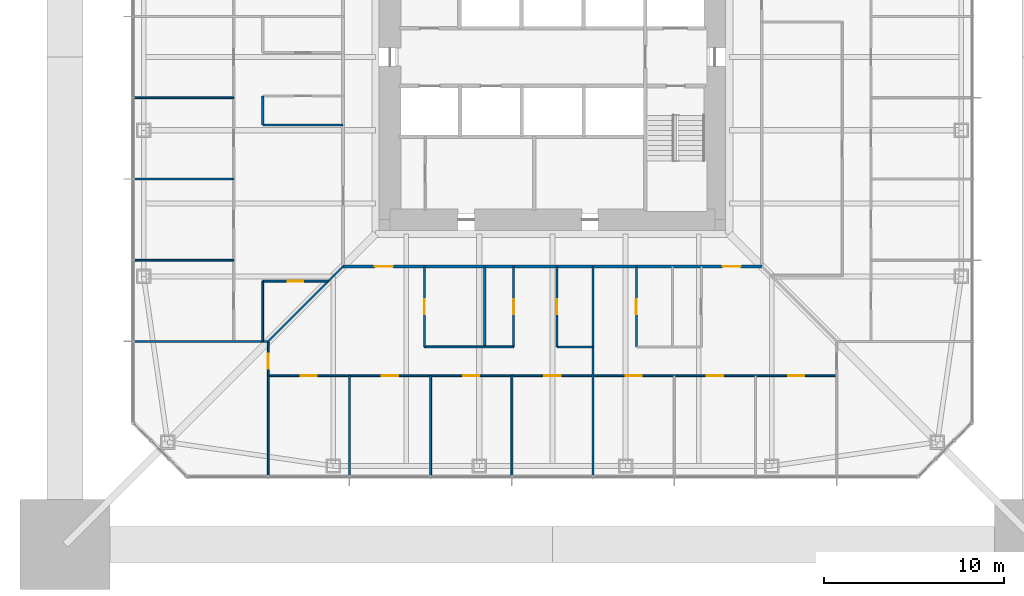
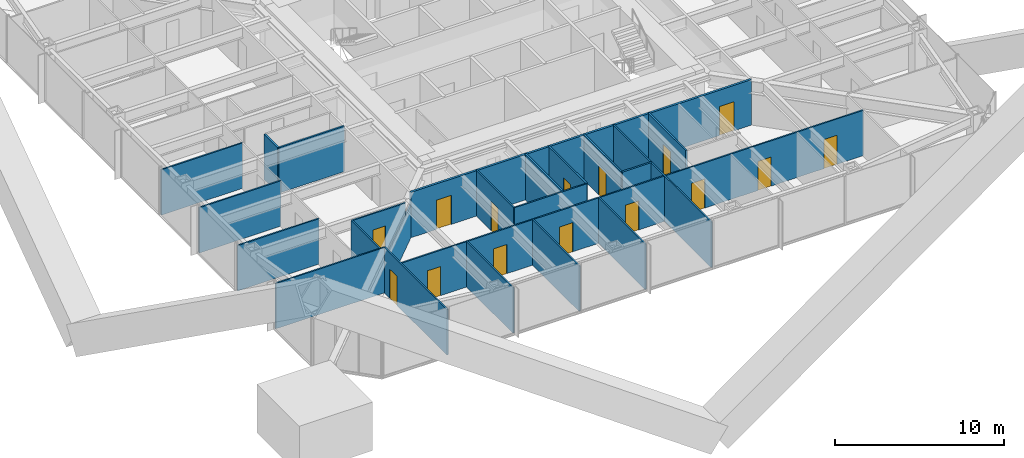
# One storey, part 16 of 28: 23 walls, 15 doors, 15 openings.
"""IFC4 building model written with IfcOpenShell, lengths in metres."""

from ifc_helpers import new_model, si_unit, direction, frame, frame_2d, origin, place, context, subcontext, project, spatial, rectangle, extrude, material, layer, layer_set, type_object, element, fill, save


model = new_model("IFC4")

# Units and contexts
model_context = context("Model", 3, precision=1e-05, world=origin(), true_north=direction((0.0, 1.0)))
body_context = subcontext(model_context, "Body", "Model", "MODEL_VIEW")
ifc_project = project(units=[si_unit("LENGTHUNIT", "METRE"), si_unit("AREAUNIT", "SQUARE_METRE"), si_unit("VOLUMEUNIT", "CUBIC_METRE"), si_unit("PLANEANGLEUNIT", "RADIAN"), si_unit("MASSUNIT", "GRAM", prefix="KILO")], contexts=[model_context])

# Site, building, storey
site_placement = place(None, origin())
site = spatial("IfcSite", under=ifc_project, at=site_placement, CompositionType="ELEMENT")
building_placement = place(site_placement, origin())
building = spatial("IfcBuilding", under=site, at=building_placement, Name="Iwan Alto Co-Living Towers", CompositionType="ELEMENT")
storey_placement = place(building_placement, frame((0.0, 0.0, 64.0)))
storey = spatial("IfcBuildingStorey", under=building, at=storey_placement, Name="L17", CompositionType="ELEMENT", Elevation=64.0)

# Wall, openings, doors
ifc_material_1 = material(Name="Gypsum board")
ifc_layer_1 = layer(ifc_material_1, 0.02490234375, Name="Board", Category="Finish")
ifc_material_2 = material(Name="Steel ASTM A1003 ST33H cold-formed studs", Category="steel")
ifc_layer_2 = layer(ifc_material_2, 0.10009765625, Name="Studs", Category="Framing")
ifc_layer_3 = layer(ifc_material_1, 0.02490234375, Name="Board", Category="Finish")
ifc_layer_set_1 = layer_set([ifc_layer_1, ifc_layer_2, ifc_layer_3], Name="CORRIDOR WALL 150")
wall_type_1 = type_object("IfcWallType", Name="CORRIDOR WALL 150", PredefinedType="PARTITIONING", material=ifc_layer_set_1)
wall_1_placement = place(storey_placement, frame((-11.60009765625, -11.60009765625, 0.0), z_axis=(0.0, 0.0, 1.0), x_axis=(1.0, 0.0, 0.0)))
wall_1 = element("IfcWall", 1, at=wall_1_placement, inside=storey, type_object=wall_type_1, Name="Partition L17", PredefinedType="PARTITIONING", context=body_context, shape_type="SweptSolid", body=[
    extrude(rectangle(XDim=23.2001953125, YDim=0.14990234375, at=frame_2d((11.60009765625, 0.0))), origin(), (0.0, 0.0, 1.0), 3.27001953125),
])
opening_1_placement = place(wall_1_placement, frame((1.7548828125, 0.0, 0.0)))
opening_1 = element("IfcOpeningElement", 2, at=opening_1_placement, cuts=wall_1, Name="Opening D3", PredefinedType="OPENING", context=body_context, shape_type="SweptSolid", body=[
    extrude(rectangle(XDim=1.0, YDim=2.10009765625, at=frame_2d((0.5, 1.050048828125))), frame((0.0, 0.0849609375, 0.0), z_axis=(0.0, -1.0, 0.0), x_axis=(1.0, 0.0, 0.0)), (0.0, 0.0, 1.0), 0.169921875),
])
opening_2_placement = place(wall_1_placement, frame((21.02490234375, 0.0, 0.0)))
opening_2 = element("IfcOpeningElement", 3, at=opening_2_placement, cuts=wall_1, Name="Opening D3", PredefinedType="OPENING", context=body_context, shape_type="SweptSolid", body=[
    extrude(rectangle(XDim=1.0, YDim=2.10009765625, at=frame_2d((0.5, 1.050048828125))), frame((0.0, 0.0849609375, 0.0), z_axis=(0.0, -1.0, 0.0), x_axis=(1.0, 0.0, 0.0)), (0.0, 0.0, 1.0), 0.169921875),
])
ifc_material_3 = material(Name="Steel frame with timber leaf", Category="steel")
door_type_1 = type_object("IfcDoorType", Name="FLAT ENTRANCE DOOR FD30S 1000X2100", OperationType="SINGLE_SWING_LEFT", PredefinedType="DOOR", material=ifc_material_3)
door_1_placement = place(opening_1_placement, frame((1.0, 0.0, 0.0), z_axis=(0.0, 0.0, 1.0), x_axis=(-1.0, 0.0, 0.0)))
door_1 = element("IfcDoor", 4, at=door_1_placement, inside=storey, type_object=door_type_1, Name="Cluster lounge door L17", OperationType="SINGLE_SWING_LEFT", OverallHeight=2.10009765625, OverallWidth=1.0, PredefinedType="DOOR", context=body_context, shape_type="SweptSolid", body=[
    extrude(rectangle(XDim=1.0, YDim=2.10009765625, at=frame_2d((0.5, 1.050048828125))), frame((0.0, 0.02490234375, 0.0), z_axis=(0.0, -1.0, 0.0), x_axis=(1.0, 0.0, 0.0)), (0.0, 0.0, 1.0), 0.050048828125),
])
fill(opening_1, door_1)
door_2_placement = place(opening_2_placement, frame((1.0, 0.0, 0.0), z_axis=(0.0, 0.0, 1.0), x_axis=(-1.0, 0.0, 0.0)))
door_2 = element("IfcDoor", 5, at=door_2_placement, inside=storey, type_object=door_type_1, Name="Cluster lounge door L17", OperationType="SINGLE_SWING_RIGHT", OverallHeight=2.10009765625, OverallWidth=1.0, PredefinedType="DOOR", context=body_context, shape_type="SweptSolid", body=[
    extrude(rectangle(XDim=1.0, YDim=2.10009765625, at=frame_2d((0.5, 1.050048828125))), frame((0.0, 0.02490234375, 0.0), z_axis=(0.0, -1.0, 0.0), x_axis=(1.0, 0.0, 0.0)), (0.0, 0.0, 1.0), 0.050048828125),
])
fill(opening_2, door_2)

ifc_layer_4 = layer(ifc_material_1, 0.012451171875, Name="Board", Category="Finish")
ifc_layer_5 = layer(ifc_material_2, 0.074951171875, Name="Studs", Category="Framing")
ifc_layer_6 = layer(ifc_material_1, 0.012451171875, Name="Board", Category="Finish")
ifc_layer_set_2 = layer_set([ifc_layer_4, ifc_layer_5, ifc_layer_6], Name="PARTITION 100")
wall_type_2 = type_object("IfcWallType", Name="PARTITION 100", PredefinedType="PARTITIONING", material=ifc_layer_set_2)
wall_2_placement = place(storey_placement, frame((-15.75, -17.64990234375, 0.0), z_axis=(0.0, 0.0, 1.0), x_axis=(1.0, 0.0, 0.0)))
wall_2 = element("IfcWall", 6, at=wall_2_placement, inside=storey, type_object=wall_type_2, Name="Partition L17", PredefinedType="PARTITIONING", context=body_context, shape_type="SweptSolid", body=[
    extrude(rectangle(XDim=31.5, YDim=0.10009765625, at=frame_2d((15.75, 0.0))), origin(), (0.0, 0.0, 1.0), 3.27001953125),
])
opening_3_placement = place(wall_2_placement, frame((1.800048828125, 0.0, 0.0)))
opening_3 = element("IfcOpeningElement", 7, at=opening_3_placement, cuts=wall_2, Name="Opening D1", PredefinedType="OPENING", context=body_context, shape_type="SweptSolid", body=[
    extrude(rectangle(XDim=0.89990234375, YDim=2.10009765625, at=frame_2d((0.449951171875, 1.050048828125))), frame((0.0, 0.06005859375, 0.0), z_axis=(0.0, -1.0, 0.0), x_axis=(1.0, 0.0, 0.0)), (0.0, 0.0, 1.0), 0.1201171875),
])
opening_4_placement = place(wall_2_placement, frame((6.300048828125, 0.0, 0.0)))
opening_4 = element("IfcOpeningElement", 8, at=opening_4_placement, cuts=wall_2, Name="Opening D1", PredefinedType="OPENING", context=body_context, shape_type="SweptSolid", body=[
    extrude(rectangle(XDim=0.89990234375, YDim=2.10009765625, at=frame_2d((0.449951171875, 1.050048828125))), frame((0.0, 0.06005859375, 0.0), z_axis=(0.0, -1.0, 0.0), x_axis=(1.0, 0.0, 0.0)), (0.0, 0.0, 1.0), 0.1201171875),
])
opening_5_placement = place(wall_2_placement, frame((10.800048828125, 0.0, 0.0)))
opening_5 = element("IfcOpeningElement", 9, at=opening_5_placement, cuts=wall_2, Name="Opening D1", PredefinedType="OPENING", context=body_context, shape_type="SweptSolid", body=[
    extrude(rectangle(XDim=0.89990234375, YDim=2.10009765625, at=frame_2d((0.449951171875, 1.050048828125))), frame((0.0, 0.06005859375, 0.0), z_axis=(0.0, -1.0, 0.0), x_axis=(1.0, 0.0, 0.0)), (0.0, 0.0, 1.0), 0.1201171875),
])
opening_6_placement = place(wall_2_placement, frame((15.300048828125, 0.0, 0.0)))
opening_6 = element("IfcOpeningElement", 10, at=opening_6_placement, cuts=wall_2, Name="Opening D1", PredefinedType="OPENING", context=body_context, shape_type="SweptSolid", body=[
    extrude(rectangle(XDim=0.89990234375, YDim=2.10009765625, at=frame_2d((0.449951171875, 1.050048828125))), frame((0.0, 0.06005859375, 0.0), z_axis=(0.0, -1.0, 0.0), x_axis=(1.0, 0.0, 0.0)), (0.0, 0.0, 1.0), 0.1201171875),
])
opening_7_placement = place(wall_2_placement, frame((19.800048828125, 0.0, 0.0)))
opening_7 = element("IfcOpeningElement", 11, at=opening_7_placement, cuts=wall_2, Name="Opening D1", PredefinedType="OPENING", context=body_context, shape_type="SweptSolid", body=[
    extrude(rectangle(XDim=0.89990234375, YDim=2.10009765625, at=frame_2d((0.449951171875, 1.050048828125))), frame((0.0, 0.06005859375, 0.0), z_axis=(0.0, -1.0, 0.0), x_axis=(1.0, 0.0, 0.0)), (0.0, 0.0, 1.0), 0.1201171875),
])
opening_8_placement = place(wall_2_placement, frame((24.300048828125, 0.0, 0.0)))
opening_8 = element("IfcOpeningElement", 12, at=opening_8_placement, cuts=wall_2, Name="Opening D1", PredefinedType="OPENING", context=body_context, shape_type="SweptSolid", body=[
    extrude(rectangle(XDim=0.89990234375, YDim=2.10009765625, at=frame_2d((0.449951171875, 1.050048828125))), frame((0.0, 0.06005859375, 0.0), z_axis=(0.0, -1.0, 0.0), x_axis=(1.0, 0.0, 0.0)), (0.0, 0.0, 1.0), 0.1201171875),
])
opening_9_placement = place(wall_2_placement, frame((28.800048828125, 0.0, 0.0)))
opening_9 = element("IfcOpeningElement", 13, at=opening_9_placement, cuts=wall_2, Name="Opening D1", PredefinedType="OPENING", context=body_context, shape_type="SweptSolid", body=[
    extrude(rectangle(XDim=0.89990234375, YDim=2.10009765625, at=frame_2d((0.449951171875, 1.050048828125))), frame((0.0, 0.06005859375, 0.0), z_axis=(0.0, -1.0, 0.0), x_axis=(1.0, 0.0, 0.0)), (0.0, 0.0, 1.0), 0.1201171875),
])
ifc_material_4 = material(Name="Timber leaf in steel frame", Category="steel")
door_type_2 = type_object("IfcDoorType", Name="BEDROOM DOOR 900X2100", OperationType="SINGLE_SWING_LEFT", PredefinedType="DOOR", material=ifc_material_4)
door_3_placement = place(opening_3_placement, origin())
door_3 = element("IfcDoor", 14, at=door_3_placement, inside=storey, type_object=door_type_2, Name="Study bedroom door L17", OperationType="SINGLE_SWING_LEFT", OverallHeight=2.10009765625, OverallWidth=0.89990234375, PredefinedType="DOOR", context=body_context, shape_type="SweptSolid", body=[
    extrude(rectangle(XDim=0.89990234375, YDim=2.10009765625, at=frame_2d((0.449951171875, 1.050048828125))), frame((0.0, 0.02490234375, 0.0), z_axis=(0.0, -1.0, 0.0), x_axis=(1.0, 0.0, 0.0)), (0.0, 0.0, 1.0), 0.050048828125),
])
fill(opening_3, door_3)
door_4_placement = place(opening_4_placement, origin())
door_4 = element("IfcDoor", 15, at=door_4_placement, inside=storey, type_object=door_type_2, Name="Study bedroom door L17", OperationType="SINGLE_SWING_LEFT", OverallHeight=2.10009765625, OverallWidth=0.89990234375, PredefinedType="DOOR", context=body_context, shape_type="SweptSolid", body=[
    extrude(rectangle(XDim=0.89990234375, YDim=2.10009765625, at=frame_2d((0.449951171875, 1.050048828125))), frame((0.0, 0.02490234375, 0.0), z_axis=(0.0, -1.0, 0.0), x_axis=(1.0, 0.0, 0.0)), (0.0, 0.0, 1.0), 0.050048828125),
])
fill(opening_4, door_4)
door_5_placement = place(opening_5_placement, origin())
door_5 = element("IfcDoor", 16, at=door_5_placement, inside=storey, type_object=door_type_2, Name="Study bedroom door L17", OperationType="SINGLE_SWING_RIGHT", OverallHeight=2.10009765625, OverallWidth=0.89990234375, PredefinedType="DOOR", context=body_context, shape_type="SweptSolid", body=[
    extrude(rectangle(XDim=0.89990234375, YDim=2.10009765625, at=frame_2d((0.449951171875, 1.050048828125))), frame((0.0, 0.02490234375, 0.0), z_axis=(0.0, -1.0, 0.0), x_axis=(1.0, 0.0, 0.0)), (0.0, 0.0, 1.0), 0.050048828125),
])
fill(opening_5, door_5)
door_6_placement = place(opening_6_placement, origin())
door_6 = element("IfcDoor", 17, at=door_6_placement, inside=storey, type_object=door_type_2, Name="Study bedroom door L17", OperationType="SINGLE_SWING_RIGHT", OverallHeight=2.10009765625, OverallWidth=0.89990234375, PredefinedType="DOOR", context=body_context, shape_type="SweptSolid", body=[
    extrude(rectangle(XDim=0.89990234375, YDim=2.10009765625, at=frame_2d((0.449951171875, 1.050048828125))), frame((0.0, 0.02490234375, 0.0), z_axis=(0.0, -1.0, 0.0), x_axis=(1.0, 0.0, 0.0)), (0.0, 0.0, 1.0), 0.050048828125),
])
fill(opening_6, door_6)
door_7_placement = place(opening_7_placement, origin())
door_7 = element("IfcDoor", 18, at=door_7_placement, inside=storey, type_object=door_type_2, Name="Study bedroom door L17", OperationType="SINGLE_SWING_LEFT", OverallHeight=2.10009765625, OverallWidth=0.89990234375, PredefinedType="DOOR", context=body_context, shape_type="SweptSolid", body=[
    extrude(rectangle(XDim=0.89990234375, YDim=2.10009765625, at=frame_2d((0.449951171875, 1.050048828125))), frame((0.0, 0.02490234375, 0.0), z_axis=(0.0, -1.0, 0.0), x_axis=(1.0, 0.0, 0.0)), (0.0, 0.0, 1.0), 0.050048828125),
])
fill(opening_7, door_7)
door_8_placement = place(opening_8_placement, origin())
door_8 = element("IfcDoor", 19, at=door_8_placement, inside=storey, type_object=door_type_2, Name="Study bedroom door L17", OperationType="SINGLE_SWING_LEFT", OverallHeight=2.10009765625, OverallWidth=0.89990234375, PredefinedType="DOOR", context=body_context, shape_type="SweptSolid", body=[
    extrude(rectangle(XDim=0.89990234375, YDim=2.10009765625, at=frame_2d((0.449951171875, 1.050048828125))), frame((0.0, 0.02490234375, 0.0), z_axis=(0.0, -1.0, 0.0), x_axis=(1.0, 0.0, 0.0)), (0.0, 0.0, 1.0), 0.050048828125),
])
fill(opening_8, door_8)
door_9_placement = place(opening_9_placement, origin())
door_9 = element("IfcDoor", 20, at=door_9_placement, inside=storey, type_object=door_type_2, Name="Study bedroom door L17", OperationType="SINGLE_SWING_RIGHT", OverallHeight=2.10009765625, OverallWidth=0.89990234375, PredefinedType="DOOR", context=body_context, shape_type="SweptSolid", body=[
    extrude(rectangle(XDim=0.89990234375, YDim=2.10009765625, at=frame_2d((0.449951171875, 1.050048828125))), frame((0.0, 0.02490234375, 0.0), z_axis=(0.0, -1.0, 0.0), x_axis=(1.0, 0.0, 0.0)), (0.0, 0.0, 1.0), 0.050048828125),
])
fill(opening_9, door_9)

# Walls
wall_3_placement = place(storey_placement, frame((-7.090087890625, -16.050048828125, 0.0), z_axis=(0.0, 0.0, 1.0), x_axis=(1.0, 0.0, 0.0)))
element("IfcWall", 21, at=wall_3_placement, inside=storey, type_object=wall_type_2, Name="Partition L17", PredefinedType="PARTITIONING", context=body_context, shape_type="SweptSolid", body=[
    extrude(rectangle(XDim=4.940185546875, YDim=0.10009765625, at=frame_2d((2.47021484375, 0.0))), origin(), (0.0, 0.0, 1.0), 3.27001953125),
])
wall_4_placement = place(storey_placement, frame((-23.18994140625, -15.75, 0.0), z_axis=(0.0, 0.0, 1.0), x_axis=(1.0, 0.0, 0.0)))
element("IfcWall", 22, at=wall_4_placement, inside=storey, type_object=wall_type_2, Name="Partition L17", PredefinedType="PARTITIONING", context=body_context, shape_type="SweptSolid", body=[
    extrude(rectangle(XDim=7.43994140625, YDim=0.10009765625, at=frame_2d((3.719970703125, 0.0))), origin(), (0.0, 0.0, 1.0), 3.27001953125),
])

# Wall, opening, door
wall_5_placement = place(storey_placement, frame((-16.050048828125, -12.409912109375, 0.0), z_axis=(0.0, 0.0, 1.0), x_axis=(1.0, 0.0, 0.0)))
wall_5 = element("IfcWall", 23, at=wall_5_placement, inside=storey, type_object=wall_type_2, Name="Partition L17", PredefinedType="PARTITIONING", context=body_context, shape_type="SweptSolid", body=[
    extrude(rectangle(XDim=3.64013671875, YDim=0.10009765625, at=frame_2d((1.820068359375, 0.0))), origin(), (0.0, 0.0, 1.0), 3.27001953125),
])
opening_10_placement = place(wall_5_placement, frame((1.39501953125, 0.0, 0.0)))
opening_10 = element("IfcOpeningElement", 24, at=opening_10_placement, cuts=wall_5, Name="Opening D2", PredefinedType="OPENING", context=body_context, shape_type="SweptSolid", body=[
    extrude(rectangle(XDim=0.85009765625, YDim=2.10009765625, at=frame_2d((0.425048828125, 1.050048828125))), frame((0.0, 0.06005859375, 0.0), z_axis=(0.0, -1.0, 0.0), x_axis=(1.0, 0.0, 0.0)), (0.0, 0.0, 1.0), 0.1201171875),
])
ifc_material_5 = material(Name="Timber leaf in steel frame", Category="steel")
door_type_3 = type_object("IfcDoorType", Name="ROOM DOOR 850X2100", OperationType="SINGLE_SWING_LEFT", PredefinedType="DOOR", material=ifc_material_5)
door_10_placement = place(opening_10_placement, origin())
door_10 = element("IfcDoor", 25, at=door_10_placement, inside=storey, type_object=door_type_3, Name="Study room door L17", OperationType="SINGLE_SWING_RIGHT", OverallHeight=2.10009765625, OverallWidth=0.85009765625, PredefinedType="DOOR", context=body_context, shape_type="SweptSolid", body=[
    extrude(rectangle(XDim=0.85009765625, YDim=2.10009765625, at=frame_2d((0.425048828125, 1.050048828125))), frame((0.0, 0.02490234375, 0.0), z_axis=(0.0, -1.0, 0.0), x_axis=(1.0, 0.0, 0.0)), (0.0, 0.0, 1.0), 0.050048828125),
])
fill(opening_10, door_10)

# Walls
for number, where, z_axis, x_axis, name in (
    (26, (-23.18994140625, -11.25, 0.0), (0.0, 0.0, 1.0), (1.0, 0.0, 0.0), "Partition L17"),
    (27, (-23.18994140625, -6.75, 0.0), (0.0, 0.0, 1.0), (1.0, 0.0, 0.0), "Partition L17"),
    (28, (-23.18994140625, -2.25, 0.0), (0.0, 0.0, 1.0), (1.0, 0.0, 0.0), "Partition L17"),
):
    element("IfcWall", number, at=place(storey_placement, frame(where, z_axis=z_axis, x_axis=x_axis)), inside=storey, type_object=wall_type_2, Name=name, PredefinedType="PARTITIONING", context=body_context, shape_type="SweptSolid", body=[
        extrude(rectangle(XDim=5.5400390625, YDim=0.10009765625, at=frame_2d((2.77001953125, 0.0))), origin(), (0.0, 0.0, 1.0), 3.27001953125),
    ])
wall_6_placement = place(storey_placement, frame((-15.75, -15.75, 0.0), z_axis=(0.0, 0.0, 1.0), x_axis=(0.707106781187, 0.707106781187, 0.0)))
element("IfcWall", 29, at=wall_6_placement, inside=storey, type_object=wall_type_2, Name="Partition L17", PredefinedType="PARTITIONING", context=body_context, shape_type="SweptSolid", body=[
    extrude(rectangle(XDim=5.868896484375, YDim=0.10009765625, at=frame_2d((2.9345703125, 0.0))), origin(), (0.0, 0.0, 1.0), 2.343017578125),
])
wall_7_placement = place(storey_placement, frame((2.25, -23.18994140625, 0.0), z_axis=(0.0, 0.0, 1.0), x_axis=(0.0, 1.0, 0.0)))
element("IfcWall", 30, at=wall_7_placement, inside=storey, type_object=wall_type_2, Name="Partition L17", PredefinedType="PARTITIONING", context=body_context, shape_type="SweptSolid", body=[
    extrude(rectangle(XDim=11.58984375, YDim=0.10009765625, at=frame_2d((5.794921875, 0.0))), origin(), (0.0, 0.0, 1.0), 3.27001953125),
])
for number, where, z_axis, x_axis, name in (
    (31, (-2.25, -23.18994140625, 0.0), (0.0, 0.0, 1.0), (0.0, 1.0, 0.0), "Partition L17"),
    (32, (-6.75, -23.18994140625, 0.0), (0.0, 0.0, 1.0), (0.0, 1.0, 0.0), "Partition L17"),
):
    element("IfcWall", number, at=place(storey_placement, frame(where, z_axis=z_axis, x_axis=x_axis)), inside=storey, type_object=wall_type_2, Name=name, PredefinedType="PARTITIONING", context=body_context, shape_type="SweptSolid", body=[
        extrude(rectangle(XDim=5.5400390625, YDim=0.10009765625, at=frame_2d((2.77001953125, 0.0))), origin(), (0.0, 0.0, 1.0), 3.27001953125),
    ])

# Wall, opening, door
wall_8_placement = place(storey_placement, frame((-7.090087890625, -16.050048828125, 0.0), z_axis=(0.0, 0.0, 1.0), x_axis=(0.0, 1.0, 0.0)))
wall_8 = element("IfcWall", 33, at=wall_8_placement, inside=storey, type_object=wall_type_2, Name="Partition L17", PredefinedType="PARTITIONING", context=body_context, shape_type="SweptSolid", body=[
    extrude(rectangle(XDim=4.449951171875, YDim=0.10009765625, at=frame_2d((2.22509765625, 0.0))), origin(), (0.0, 0.0, 1.0), 3.27001953125),
])
opening_11_placement = place(wall_8_placement, frame((1.800048828125, 0.0, 0.0)))
opening_11 = element("IfcOpeningElement", 34, at=opening_11_placement, cuts=wall_8, Name="Opening D2", PredefinedType="OPENING", context=body_context, shape_type="SweptSolid", body=[
    extrude(rectangle(XDim=0.85009765625, YDim=2.10009765625, at=frame_2d((0.425048828125, 1.050048828125))), frame((0.0, 0.06005859375, 0.0), z_axis=(0.0, -1.0, 0.0), x_axis=(1.0, 0.0, 0.0)), (0.0, 0.0, 1.0), 0.1201171875),
])
door_11_placement = place(opening_11_placement, origin())
door_11 = element("IfcDoor", 35, at=door_11_placement, inside=storey, type_object=door_type_3, Name="Study room door L17", OperationType="SINGLE_SWING_RIGHT", OverallHeight=2.10009765625, OverallWidth=0.85009765625, PredefinedType="DOOR", context=body_context, shape_type="SweptSolid", body=[
    extrude(rectangle(XDim=0.85009765625, YDim=2.10009765625, at=frame_2d((0.425048828125, 1.050048828125))), frame((0.0, 0.02490234375, 0.0), z_axis=(0.0, -1.0, 0.0), x_axis=(1.0, 0.0, 0.0)), (0.0, 0.0, 1.0), 0.050048828125),
])
fill(opening_11, door_11)

# Wall
wall_9_placement = place(storey_placement, frame((-11.25, -23.18994140625, 0.0), z_axis=(0.0, 0.0, 1.0), x_axis=(0.0, 1.0, 0.0)))
element("IfcWall", 36, at=wall_9_placement, inside=storey, type_object=wall_type_2, Name="Partition L17", PredefinedType="PARTITIONING", context=body_context, shape_type="SweptSolid", body=[
    extrude(rectangle(XDim=5.5400390625, YDim=0.10009765625, at=frame_2d((2.77001953125, 0.0))), origin(), (0.0, 0.0, 1.0), 3.27001953125),
])

# Wall, opening, door
wall_10_placement = place(storey_placement, frame((-15.75, -23.18994140625, 0.0), z_axis=(0.0, 0.0, 1.0), x_axis=(0.0, 1.0, 0.0)))
wall_10 = element("IfcWall", 37, at=wall_10_placement, inside=storey, type_object=wall_type_2, Name="Partition L17", PredefinedType="PARTITIONING", context=body_context, shape_type="SweptSolid", body=[
    extrude(rectangle(XDim=7.43994140625, YDim=0.10009765625, at=frame_2d((3.719970703125, 0.0))), origin(), (0.0, 0.0, 1.0), 3.27001953125),
])
opening_12_placement = place(wall_10_placement, frame((5.9150390625, 0.0, 0.0)))
opening_12 = element("IfcOpeningElement", 38, at=opening_12_placement, cuts=wall_10, Name="Opening D2", PredefinedType="OPENING", context=body_context, shape_type="SweptSolid", body=[
    extrude(rectangle(XDim=0.85009765625, YDim=2.10009765625, at=frame_2d((0.425048828125, 1.050048828125))), frame((0.0, 0.06005859375, 0.0), z_axis=(0.0, -1.0, 0.0), x_axis=(1.0, 0.0, 0.0)), (0.0, 0.0, 1.0), 0.1201171875),
])
door_12_placement = place(opening_12_placement, frame((0.85009765625, 0.0, 0.0), z_axis=(0.0, 0.0, 1.0), x_axis=(-1.0, 0.0, 0.0)))
door_12 = element("IfcDoor", 39, at=door_12_placement, inside=storey, type_object=door_type_3, Name="Shared kitchen and dining room door L17", OperationType="SINGLE_SWING_RIGHT", OverallHeight=2.10009765625, OverallWidth=0.85009765625, PredefinedType="DOOR", context=body_context, shape_type="SweptSolid", body=[
    extrude(rectangle(XDim=0.85009765625, YDim=2.10009765625, at=frame_2d((0.425048828125, 1.050048828125))), frame((0.0, 0.02490234375, 0.0), z_axis=(0.0, -1.0, 0.0), x_axis=(1.0, 0.0, 0.0)), (0.0, 0.0, 1.0), 0.050048828125),
])
fill(opening_12, door_12)

# Walls
wall_11_placement = place(storey_placement, frame((-16.050048828125, -15.75, 0.0), z_axis=(0.0, 0.0, 1.0), x_axis=(0.0, 1.0, 0.0)))
element("IfcWall", 40, at=wall_11_placement, inside=storey, type_object=wall_type_2, Name="Partition L17", PredefinedType="PARTITIONING", context=body_context, shape_type="SweptSolid", body=[
    extrude(rectangle(XDim=3.340087890625, YDim=0.10009765625, at=frame_2d((1.669921875, 0.0))), origin(), (0.0, 0.0, 1.0), 3.27001953125),
])
ifc_material_6 = material(Name="Cement board")
ifc_layer_7 = layer(ifc_material_6, 0.012451171875, Name="Board", Category="Finish")
ifc_layer_8 = layer(ifc_material_2, 0.094970703125, Name="Studs", Category="Framing")
ifc_layer_9 = layer(ifc_material_6, 0.012451171875, Name="Board", Category="Finish")
ifc_layer_set_3 = layer_set([ifc_layer_7, ifc_layer_8, ifc_layer_9], Name="WET AREA PARTITION 120")
wall_type_3 = type_object("IfcWallType", Name="WET AREA PARTITION 120", PredefinedType="PARTITIONING", material=ifc_layer_set_3)
wall_12_placement = place(storey_placement, frame((0.25, -16.050048828125, 0.0), z_axis=(0.0, 0.0, 1.0), x_axis=(1.0, 0.0, 0.0)))
element("IfcWall", 41, at=wall_12_placement, inside=storey, type_object=wall_type_3, Name="Partition L17", PredefinedType="PARTITIONING", context=body_context, shape_type="SweptSolid", body=[
    extrude(rectangle(XDim=2.0, YDim=0.1201171875, at=frame_2d((1.0, 0.0))), origin(), (0.0, 0.0, 1.0), 3.27001953125),
])
wall_13_placement = place(storey_placement, frame((-16.050048828125, -3.75, 0.0), z_axis=(0.0, 0.0, 1.0), x_axis=(1.0, 0.0, 0.0)))
element("IfcWall", 42, at=wall_13_placement, inside=storey, type_object=wall_type_3, Name="Partition L17", PredefinedType="PARTITIONING", context=body_context, shape_type="SweptSolid", body=[
    extrude(rectangle(XDim=4.449951171875, YDim=0.1201171875, at=frame_2d((2.22509765625, 0.0))), origin(), (0.0, 0.0, 1.0), 3.27001953125),
])

# Wall, opening, door
wall_14_placement = place(storey_placement, frame((4.64990234375, -16.050048828125, 0.0), z_axis=(0.0, 0.0, 1.0), x_axis=(0.0, 1.0, 0.0)))
wall_14 = element("IfcWall", 43, at=wall_14_placement, inside=storey, type_object=wall_type_3, Name="Partition L17", PredefinedType="PARTITIONING", context=body_context, shape_type="SweptSolid", body=[
    extrude(rectangle(XDim=4.449951171875, YDim=0.1201171875, at=frame_2d((2.22509765625, 0.0))), origin(), (0.0, 0.0, 1.0), 3.27001953125),
])
opening_13_placement = place(wall_14_placement, frame((1.800048828125, 0.0, 0.0)))
opening_13 = element("IfcOpeningElement", 44, at=opening_13_placement, cuts=wall_14, Name="Opening D2", PredefinedType="OPENING", context=body_context, shape_type="SweptSolid", body=[
    extrude(rectangle(XDim=0.85009765625, YDim=2.10009765625, at=frame_2d((0.425048828125, 1.050048828125))), frame((0.0, 0.070068359375, 0.0), z_axis=(0.0, -1.0, 0.0), x_axis=(1.0, 0.0, 0.0)), (0.0, 0.0, 1.0), 0.14013671875),
])
door_13_placement = place(opening_13_placement, origin())
door_13 = element("IfcDoor", 45, at=door_13_placement, inside=storey, type_object=door_type_3, Name="Laundry door L17", OperationType="SINGLE_SWING_RIGHT", OverallHeight=2.10009765625, OverallWidth=0.85009765625, PredefinedType="DOOR", context=body_context, shape_type="SweptSolid", body=[
    extrude(rectangle(XDim=0.85009765625, YDim=2.10009765625, at=frame_2d((0.425048828125, 1.050048828125))), frame((0.0, 0.02490234375, 0.0), z_axis=(0.0, -1.0, 0.0), x_axis=(1.0, 0.0, 0.0)), (0.0, 0.0, 1.0), 0.050048828125),
])
fill(opening_13, door_13)

wall_15_placement = place(storey_placement, frame((0.25, -16.050048828125, 0.0), z_axis=(0.0, 0.0, 1.0), x_axis=(0.0, 1.0, 0.0)))
wall_15 = element("IfcWall", 46, at=wall_15_placement, inside=storey, type_object=wall_type_3, Name="Partition L17", PredefinedType="PARTITIONING", context=body_context, shape_type="SweptSolid", body=[
    extrude(rectangle(XDim=4.449951171875, YDim=0.1201171875, at=frame_2d((2.22509765625, 0.0))), origin(), (0.0, 0.0, 1.0), 3.27001953125),
])
opening_14_placement = place(wall_15_placement, frame((1.800048828125, 0.0, 0.0)))
opening_14 = element("IfcOpeningElement", 47, at=opening_14_placement, cuts=wall_15, Name="Opening D2", PredefinedType="OPENING", context=body_context, shape_type="SweptSolid", body=[
    extrude(rectangle(XDim=0.85009765625, YDim=2.10009765625, at=frame_2d((0.425048828125, 1.050048828125))), frame((0.0, 0.070068359375, 0.0), z_axis=(0.0, -1.0, 0.0), x_axis=(1.0, 0.0, 0.0)), (0.0, 0.0, 1.0), 0.14013671875),
])
door_14_placement = place(opening_14_placement, origin())
door_14 = element("IfcDoor", 48, at=door_14_placement, inside=storey, type_object=door_type_3, Name="Laundry door L17", OperationType="SINGLE_SWING_RIGHT", OverallHeight=2.10009765625, OverallWidth=0.85009765625, PredefinedType="DOOR", context=body_context, shape_type="SweptSolid", body=[
    extrude(rectangle(XDim=0.85009765625, YDim=2.10009765625, at=frame_2d((0.425048828125, 1.050048828125))), frame((0.0, 0.02490234375, 0.0), z_axis=(0.0, -1.0, 0.0), x_axis=(1.0, 0.0, 0.0)), (0.0, 0.0, 1.0), 0.050048828125),
])
fill(opening_14, door_14)

wall_16_placement = place(storey_placement, frame((-2.14990234375, -16.050048828125, 0.0), z_axis=(0.0, 0.0, 1.0), x_axis=(0.0, 1.0, 0.0)))
wall_16 = element("IfcWall", 49, at=wall_16_placement, inside=storey, type_object=wall_type_3, Name="Partition L17", PredefinedType="PARTITIONING", context=body_context, shape_type="SweptSolid", body=[
    extrude(rectangle(XDim=4.449951171875, YDim=0.1201171875, at=frame_2d((2.22509765625, 0.0))), origin(), (0.0, 0.0, 1.0), 3.27001953125),
])
opening_15_placement = place(wall_16_placement, frame((1.800048828125, 0.0, 0.0)))
opening_15 = element("IfcOpeningElement", 50, at=opening_15_placement, cuts=wall_16, Name="Opening D2", PredefinedType="OPENING", context=body_context, shape_type="SweptSolid", body=[
    extrude(rectangle(XDim=0.85009765625, YDim=2.10009765625, at=frame_2d((0.425048828125, 1.050048828125))), frame((0.0, 0.070068359375, 0.0), z_axis=(0.0, -1.0, 0.0), x_axis=(1.0, 0.0, 0.0)), (0.0, 0.0, 1.0), 0.14013671875),
])
door_15_placement = place(opening_15_placement, frame((0.85009765625, 0.0, 0.0), z_axis=(0.0, 0.0, 1.0), x_axis=(-1.0, 0.0, 0.0)))
door_15 = element("IfcDoor", 51, at=door_15_placement, inside=storey, type_object=door_type_3, Name="Accessible bathroom door L17", OperationType="SINGLE_SWING_LEFT", OverallHeight=2.10009765625, OverallWidth=0.85009765625, PredefinedType="DOOR", context=body_context, shape_type="SweptSolid", body=[
    extrude(rectangle(XDim=0.85009765625, YDim=2.10009765625, at=frame_2d((0.425048828125, 1.050048828125))), frame((0.0, 0.02490234375, 0.0), z_axis=(0.0, -1.0, 0.0), x_axis=(1.0, 0.0, 0.0)), (0.0, 0.0, 1.0), 0.050048828125),
])
fill(opening_15, door_15)

# Walls
wall_17_placement = place(storey_placement, frame((-3.75, -16.050048828125, 0.0), z_axis=(0.0, 0.0, 1.0), x_axis=(0.0, 1.0, 0.0)))
element("IfcWall", 52, at=wall_17_placement, inside=storey, type_object=wall_type_3, Name="Partition L17", PredefinedType="PARTITIONING", context=body_context, shape_type="SweptSolid", body=[
    extrude(rectangle(XDim=4.449951171875, YDim=0.1201171875, at=frame_2d((2.22509765625, 0.0))), origin(), (0.0, 0.0, 1.0), 3.27001953125),
])
wall_18_placement = place(storey_placement, frame((-16.050048828125, -3.75, 0.0), z_axis=(0.0, 0.0, 1.0), x_axis=(0.0, 1.0, 0.0)))
element("IfcWall", 53, at=wall_18_placement, inside=storey, type_object=wall_type_3, Name="Partition L17", PredefinedType="PARTITIONING", context=body_context, shape_type="SweptSolid", body=[
    extrude(rectangle(XDim=1.60009765625, YDim=0.1201171875, at=frame_2d((0.800048828125, 0.0))), origin(), (0.0, 0.0, 1.0), 3.27001953125),
])

save(model, "model.ifc")
